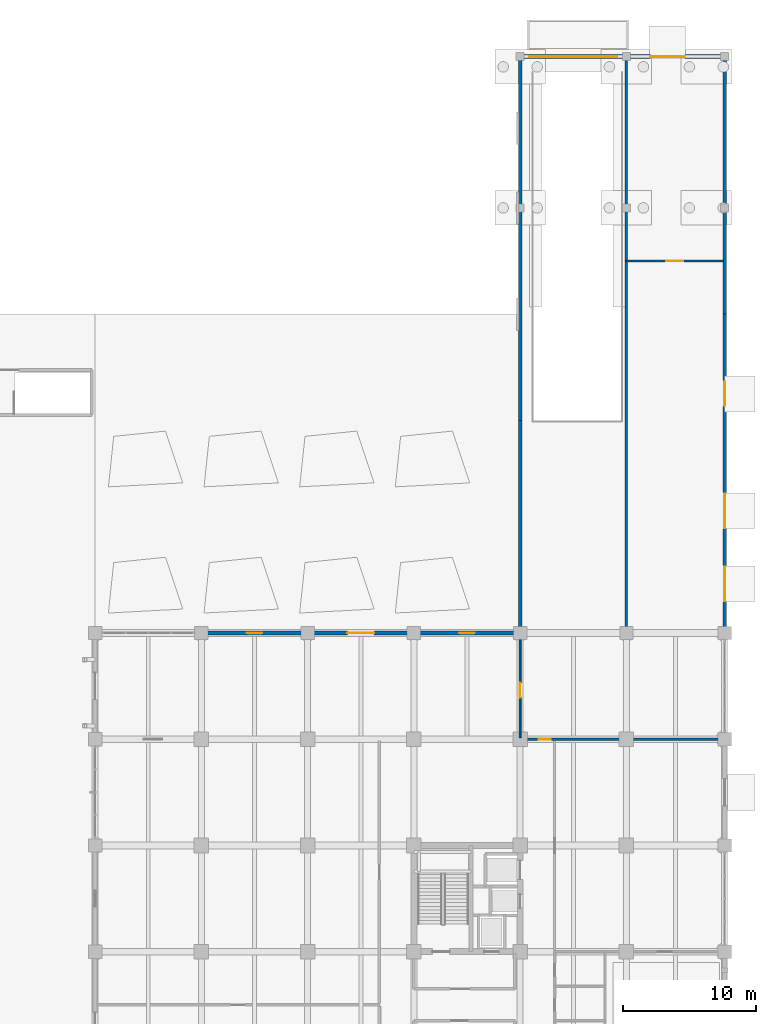
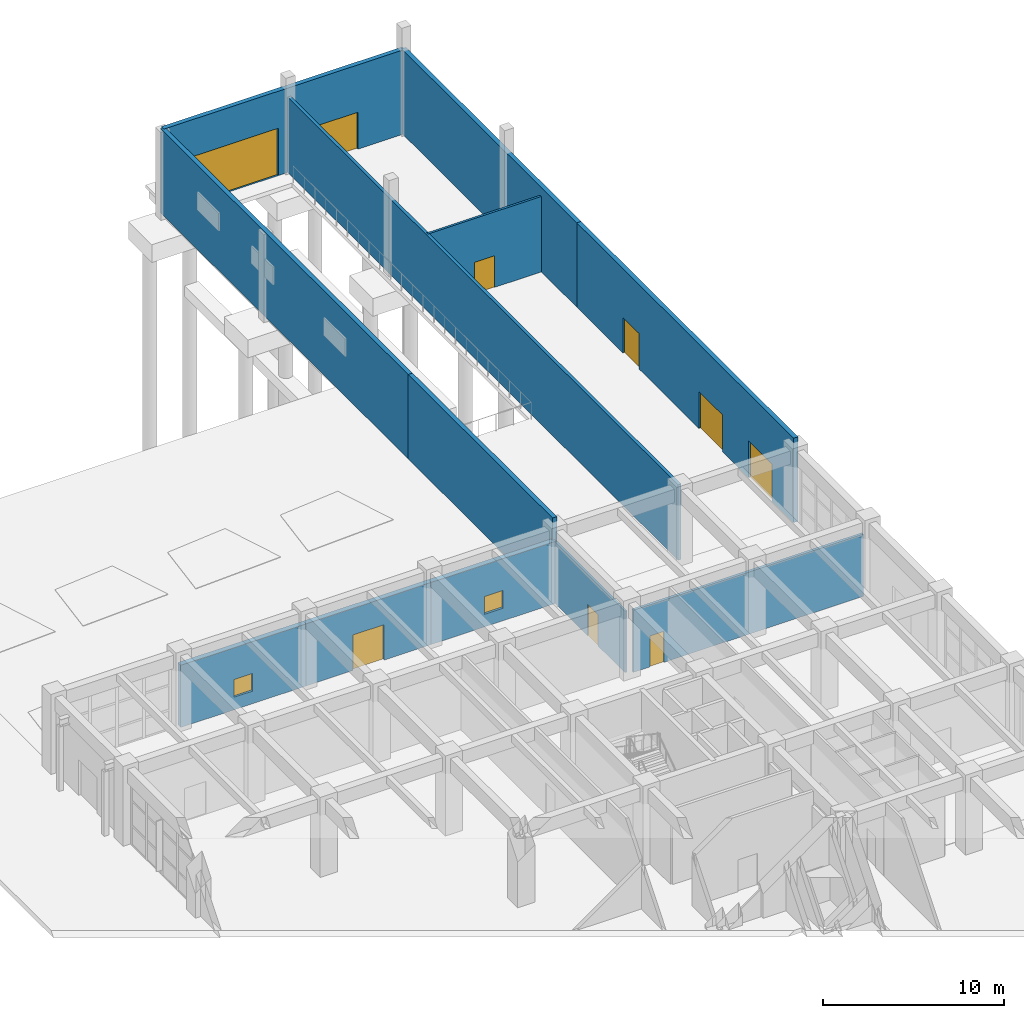
# One storey, part 78 of 90: 12 walls, 9 doors, 2 windows, 11 openings.
"""IFC4 building model written with IfcOpenShell, lengths in metres."""

import ifcopenshell
import ifcopenshell.guid

model = None  # the IFC model being written
_history = None  # IfcOwnerHistory: only IFC2X3 demands one
_inside = {}  # id of a spatial element -> (the spatial element, [elements in it])
_under = {}  # id of a project, library or spatial element -> (it, [spatial elements below it])
_declared = {}  # id of a project -> (the project, [libraries it declares])
_typed = {}  # id of a type object -> (the type object, [elements of that type])
_made_of = {}  # id of a material, layer set ... -> (it, [elements and type objects made of it])


def new_model(schema):
    """Start an empty IFC model of exactly this schema.

    Asked for "IFC4X3", IfcOpenShell would pick the latest addendum, in which some entities
    have other attributes; the version numbers below select the first issue.
    IFC2X3 requires an IfcOwnerHistory on every rooted entity: one is made here for all.
    """
    global model, _history
    if schema == "IFC4X3":
        model = ifcopenshell.file(schema_version=(4, 3, 0, 0))
    else:
        model = ifcopenshell.file(schema=schema)
    _inside.clear()
    _under.clear()
    _declared.clear()
    _typed.clear()
    _made_of.clear()
    _history = None
    if model.schema == "IFC2X3":
        org = make("IfcOrganization", Name="unknown")
        user = make(
            "IfcPersonAndOrganization",
            ThePerson=make("IfcPerson", FamilyName="unknown"),
            TheOrganization=org,
        )
        app = make(
            "IfcApplication",
            ApplicationDeveloper=org,
            Version="unknown",
            ApplicationFullName="unknown",
            ApplicationIdentifier="unknown",
        )
        _history = make(
            "IfcOwnerHistory",
            OwningUser=user,
            OwningApplication=app,
            ChangeAction="ADDED",
            CreationDate=0,
        )
    return model


def make(cls, **values):
    """One entity of the class cls with the attributes given. An attribute that is None is left unset."""
    return model.create_entity(
        cls, **{name: value for name, value in values.items() if value is not None}
    )


def rooted(cls, **values):
    """An entity with a GlobalId (a new one), such as an element, a storey or a relation."""
    return make(cls, GlobalId=ifcopenshell.guid.new(), OwnerHistory=_history, **values)


def si_unit(unit_type, name, prefix=None):
    """IfcSIUnit, for example si_unit("LENGTHUNIT", "METRE", prefix="MILLI")."""
    return make("IfcSIUnit", UnitType=unit_type, Prefix=prefix, Name=name)


def assignment(units):
    """IfcUnitAssignment: the units of a project."""
    return None if units is None else make("IfcUnitAssignment", Units=units)


def point(xyz):
    """IfcCartesianPoint."""
    return None if xyz is None else make("IfcCartesianPoint", Coordinates=xyz)


def direction(xyz):
    """IfcDirection."""
    return None if xyz is None else make("IfcDirection", DirectionRatios=xyz)


def frame(location, z_axis=None, x_axis=None):
    """IfcAxis2Placement3D, a coordinate frame: its origin and axes. An axis left out is left unset."""
    return make(
        "IfcAxis2Placement3D",
        Location=point(location),
        Axis=direction(z_axis),
        RefDirection=direction(x_axis),
    )


def frame_2d(location, x_axis=None):
    """IfcAxis2Placement2D, a coordinate frame in the plane: its origin and x axis."""
    return make(
        "IfcAxis2Placement2D", Location=point(location), RefDirection=direction(x_axis)
    )


def origin():
    """The frame at (0, 0, 0) with its axes left unset."""
    return frame((0.0, 0.0, 0.0))


def place(relative_to, where):
    """IfcLocalPlacement: puts the frame where relative to a parent placement (None: the world)."""
    return make(
        "IfcLocalPlacement", PlacementRelTo=relative_to, RelativePlacement=where
    )


def context(
    kind, dimensions, precision=None, world=None, true_north=None, identifier=None
):
    """IfcGeometricRepresentationContext, for example the 3D "Model" context."""
    return make(
        "IfcGeometricRepresentationContext",
        ContextIdentifier=identifier,
        ContextType=kind,
        CoordinateSpaceDimension=dimensions,
        Precision=precision,
        WorldCoordinateSystem=world,
        TrueNorth=true_north,
    )


def subcontext(parent, identifier, kind, view, scale=None):
    """IfcGeometricRepresentationSubContext, for example "Body" below "Model"."""
    return make(
        "IfcGeometricRepresentationSubContext",
        ContextIdentifier=identifier,
        ContextType=kind,
        ParentContext=parent,
        TargetScale=scale,
        TargetView=view,
    )


def project(units=None, contexts=None):
    """IfcProject with its units and contexts."""
    return rooted(
        "IfcProject",
        Name="project",
        RepresentationContexts=contexts,
        UnitsInContext=assignment(units),
    )


def spatial(cls, under=None, at=None, **own):
    """A site, building, storey or space (cls), placed at a placement, below another one or the project."""
    s = rooted(cls, ObjectPlacement=at, **own)
    if under is not None:
        _under.setdefault(under.id(), (under, []))[1].append(s)
    return s


def profile(cls, at=None, kind="AREA", **sizes):
    """A parametric profile (cls). Its sizes go by their IFC names, for example OverallWidth=200.0."""
    return make(cls, ProfileType=kind, Position=at, **sizes)


def rectangle(**sizes):
    """IfcRectangleProfileDef."""
    return profile("IfcRectangleProfileDef", **sizes)


def extrude(swept, where, along, depth):
    """IfcExtrudedAreaSolid: the profile swept, set in the frame where, extruded along a direction by depth."""
    return make(
        "IfcExtrudedAreaSolid",
        SweptArea=swept,
        Position=where,
        ExtrudedDirection=direction(along),
        Depth=depth,
    )


def shape(context_of_items, identifier, shape_type, items):
    """IfcShapeRepresentation: the items that make up one representation, for example the "Body"."""
    return make(
        "IfcShapeRepresentation",
        ContextOfItems=context_of_items,
        RepresentationIdentifier=identifier,
        RepresentationType=shape_type,
        Items=items,
    )


def material(Name=None, Category=None):
    """IfcMaterial."""
    return make("IfcMaterial", Name=Name, Category=Category)


def layer(
    of_material, thickness, ventilated=None, Name=None, Category=None, Priority=None
):
    """IfcMaterialLayer: one layer of a wall or slab, of a material (None: an air gap)."""
    return make(
        "IfcMaterialLayer",
        Material=of_material,
        LayerThickness=thickness,
        IsVentilated=ventilated,
        Name=Name,
        Category=Category,
        Priority=Priority,
    )


def layer_set(layers, Name=None):
    """IfcMaterialLayerSet."""
    return make("IfcMaterialLayerSet", MaterialLayers=layers, LayerSetName=Name)


def made_of(thing, what):
    """Note that an element or type object is made of a material, layer set ...; save() writes the relation."""
    if what is not None:
        _made_of.setdefault(what.id(), (what, []))[1].append(thing)
    return thing


def type_object(cls, material=None, **own):
    """A type object (cls), such as IfcWallType, which elements share."""
    return made_of(rooted(cls, **own), material)


def element(
    cls,
    number,
    at=None,
    inside=None,
    cuts=None,
    type_object=None,
    material=None,
    context=None,
    identifier="Body",
    shape_type=None,
    held_by="IfcProductDefinitionShape",
    body=None,
    shapes=None,
    **own,
):
    """One element of the class cls, such as IfcWall. Its Tag is "e" and its number.

    at: its placement. inside: the storey or other place that contains it. cuts: it is an
    opening in that element (IfcRelVoidsElement). A single representation is given by context,
    identifier, shape_type and body (its items); several are given by shapes. held_by: the class
    of the entity that holds the representations. save() writes the other relations.
    """
    e = rooted(cls, Tag="e%d" % number, ObjectPlacement=at, **own)
    if body is not None:
        shapes = [shape(context, identifier, shape_type, body)]
    if shapes is not None:
        e.Representation = make(held_by, Representations=shapes)
    if inside is not None:
        _inside.setdefault(inside.id(), (inside, []))[1].append(e)
    if cuts is not None:
        rooted(
            "IfcRelVoidsElement", RelatingBuildingElement=cuts, RelatedOpeningElement=e
        )
    if type_object is not None:
        _typed.setdefault(type_object.id(), (type_object, []))[1].append(e)
    return made_of(e, material)


def fill(opening, filler):
    """IfcRelFillsElement: the door or window that sits in an opening."""
    return rooted(
        "IfcRelFillsElement",
        RelatingOpeningElement=opening,
        RelatedBuildingElement=filler,
    )


def aggregate(whole, parts):
    """IfcRelAggregates: a whole, such as a stair, and the parts it consists of."""
    return rooted("IfcRelAggregates", RelatingObject=whole, RelatedObjects=parts)


def save(model, path):
    """Write the relations noted so far, then the file.

    IfcRelAggregates (storeys below a building ...), IfcRelContainedInSpatialStructure (elements
    in a storey), IfcRelDefinesByType, IfcRelAssociatesMaterial and IfcRelDeclares: one each for
    every whole, place, type object, material and project.
    """
    for whole, parts in _under.values():
        aggregate(whole, parts)
    for where, things in _inside.values():
        rooted(
            "IfcRelContainedInSpatialStructure",
            RelatedElements=things,
            RelatingStructure=where,
        )
    for kind, things in _typed.values():
        rooted("IfcRelDefinesByType", RelatedObjects=things, RelatingType=kind)
    for what, things in _made_of.values():
        rooted("IfcRelAssociatesMaterial", RelatedObjects=things, RelatingMaterial=what)
    for by, libraries in _declared.values():
        rooted("IfcRelDeclares", RelatingContext=by, RelatedDefinitions=libraries)
    model.write(path)


model = new_model("IFC4")

# Units and contexts
model_context = context("Model", 3, precision=1e-05, world=origin(), true_north=direction((0.0, 1.0)))
body_context = subcontext(model_context, "Body", "Model", "MODEL_VIEW")
ifc_project = project(units=[si_unit("LENGTHUNIT", "METRE"), si_unit("AREAUNIT", "SQUARE_METRE"), si_unit("VOLUMEUNIT", "CUBIC_METRE"), si_unit("PLANEANGLEUNIT", "RADIAN"), si_unit("MASSUNIT", "GRAM", prefix="KILO")], contexts=[model_context])

# Site, building, storey
site_placement = place(None, origin())
site = spatial("IfcSite", under=ifc_project, at=site_placement, CompositionType="ELEMENT")
building_placement = place(site_placement, origin())
building = spatial("IfcBuilding", under=site, at=building_placement, Name="Canggui Botanical Conservatory", CompositionType="ELEMENT")
storey_placement = place(building_placement, origin())
storey = spatial("IfcBuildingStorey", under=building, at=storey_placement, Name="L01", CompositionType="ELEMENT", Elevation=0.0)

# Wall, openings, doors
ifc_material_1 = material(Name="Precast Concrete C40", Category="concrete")
ifc_layer_1 = layer(ifc_material_1, 0.280029296875, Name="Precast Concrete C40", Category="concrete")
ifc_layer_set_1 = layer_set([ifc_layer_1], Name="Precast Concrete C40")
wall_type_1 = type_object("IfcWallType", Name="EW-280", PredefinedType="STANDARD", material=ifc_layer_set_1)
wall_1_placement = place(storey_placement, frame((162.0, 125.39990234375, 0.0), z_axis=(0.0, 0.0, 1.0), x_axis=(1.0, 0.0, 0.0)))
wall_1 = element("IfcWall", 1, at=wall_1_placement, inside=storey, type_object=wall_type_1, Name="North-East Ramp Wing Exterior Wall NE-N", PredefinedType="STANDARD", context=body_context, shape_type="SweptSolid", body=[
    extrude(rectangle(XDim=15.39990234375, YDim=0.280029296875, at=frame_2d((7.699951171875, 0.0))), origin(), (0.0, 0.0, 1.0), 5.699951171875),
])
opening_1_placement = place(wall_1_placement, frame((0.699951171875, 0.0, 0.0)))
opening_1 = element("IfcOpeningElement", 2, at=opening_1_placement, cuts=wall_1, Name="Opening VG-01", PredefinedType="OPENING", context=body_context, shape_type="SweptSolid", body=[
    extrude(rectangle(XDim=6.60009765625, YDim=3.199951171875, at=frame_2d((3.300048828125, 1.60009765625))), frame((0.0, 0.14990234375, 0.0), z_axis=(0.0, -1.0, 0.0), x_axis=(1.0, 0.0, 0.0)), (0.0, 0.0, 1.0), 0.300048828125),
])
opening_2_placement = place(wall_1_placement, frame((9.800048828125, 0.0, 0.0)))
opening_2 = element("IfcOpeningElement", 3, at=opening_2_placement, cuts=wall_1, Name="Opening VG-03", PredefinedType="OPENING", context=body_context, shape_type="SweptSolid", body=[
    extrude(rectangle(XDim=2.60009765625, YDim=2.5, at=frame_2d((1.300048828125, 1.25))), frame((0.0, 0.14990234375, 0.0), z_axis=(0.0, -1.0, 0.0), x_axis=(1.0, 0.0, 0.0)), (0.0, 0.0, 1.0), 0.300048828125),
])
ifc_material_2 = material(Name="Powder-Coated Steel", Category="steel")
door_type_1 = type_object("IfcDoorType", Name="GATE-SRV", OperationType="NOTDEFINED", PredefinedType="GATE", material=ifc_material_2)
door_1_placement = place(opening_2_placement, origin())
door_1 = element("IfcDoor", 4, at=door_1_placement, inside=storey, type_object=door_type_1, Name="Logistics Composting Service Gate VG-03", OperationType="ROLLINGUP", OverallHeight=2.5, OverallWidth=2.60009765625, PredefinedType="GATE", context=body_context, shape_type="SweptSolid", body=[
    extrude(rectangle(XDim=2.60009765625, YDim=2.5, at=frame_2d((1.300048828125, 1.25))), frame((0.0, 0.02490234375, 0.0), z_axis=(0.0, -1.0, 0.0), x_axis=(1.0, 0.0, 0.0)), (0.0, 0.0, 1.0), 0.050048828125),
])
fill(opening_2, door_1)
door_type_2 = type_object("IfcDoorType", Name="GATE-VG01", OperationType="NOTDEFINED", PredefinedType="GATE", material=ifc_material_2)
door_2_placement = place(opening_1_placement, origin())
door_2 = element("IfcDoor", 5, at=door_2_placement, inside=storey, type_object=door_type_2, Name="Basement Car Park Vehicle Ramp Roller Shutter Gate VG-01", OperationType="ROLLINGUP", OverallHeight=3.199951171875, OverallWidth=6.60009765625, PredefinedType="GATE", context=body_context, shape_type="SweptSolid", body=[
    extrude(rectangle(XDim=6.60009765625, YDim=3.199951171875, at=frame_2d((3.300048828125, 1.60009765625))), frame((0.0, 0.02490234375, 0.0), z_axis=(0.0, -1.0, 0.0), x_axis=(1.0, 0.0, 0.0)), (0.0, 0.0, 1.0), 0.050048828125),
])
fill(opening_1, door_2)

wall_2_placement = place(storey_placement, frame((177.39990234375, 106.0, 0.0), z_axis=(0.0, 0.0, 1.0), x_axis=(0.0, -1.0, 0.0)))
wall_2 = element("IfcWall", 6, at=wall_2_placement, inside=storey, type_object=wall_type_1, Name="North-East Ramp Wing Exterior Wall NE-E1", PredefinedType="STANDARD", context=body_context, shape_type="SweptSolid", body=[
    extrude(rectangle(XDim=24.0, YDim=0.280029296875, at=frame_2d((12.0, 0.0))), origin(), (0.0, 0.0, 1.0), 5.699951171875),
])
opening_3_placement = place(wall_2_placement, frame((5.10009765625, 0.0, 0.0)))
opening_3 = element("IfcOpeningElement", 7, at=opening_3_placement, cuts=wall_2, Name="Opening EX-B", PredefinedType="OPENING", context=body_context, shape_type="SweptSolid", body=[
    extrude(rectangle(XDim=1.800048828125, YDim=2.39990234375, at=frame_2d((0.89990234375, 1.199951171875))), frame((0.0, 0.14990234375, 0.0), z_axis=(0.0, -1.0, 0.0), x_axis=(1.0, 0.0, 0.0)), (0.0, 0.0, 1.0), 0.300048828125),
])
opening_4_placement = place(wall_2_placement, frame((13.5, 0.0, 0.0)))
opening_4 = element("IfcOpeningElement", 8, at=opening_4_placement, cuts=wall_2, Name="Opening VG-03", PredefinedType="OPENING", context=body_context, shape_type="SweptSolid", body=[
    extrude(rectangle(XDim=2.60009765625, YDim=2.5, at=frame_2d((1.300048828125, 1.25))), frame((0.0, 0.14990234375, 0.0), z_axis=(0.0, -1.0, 0.0), x_axis=(1.0, 0.0, 0.0)), (0.0, 0.0, 1.0), 0.300048828125),
])
opening_5_placement = place(wall_2_placement, frame((19.0, 0.0, 0.0)))
opening_5 = element("IfcOpeningElement", 9, at=opening_5_placement, cuts=wall_2, Name="Opening VG-03", PredefinedType="OPENING", context=body_context, shape_type="SweptSolid", body=[
    extrude(rectangle(XDim=2.60009765625, YDim=2.5, at=frame_2d((1.300048828125, 1.25))), frame((0.0, 0.14990234375, 0.0), z_axis=(0.0, -1.0, 0.0), x_axis=(1.0, 0.0, 0.0)), (0.0, 0.0, 1.0), 0.300048828125),
])
ifc_material_3 = material(Name="Anodised Aluminium", Category="aluminium")
door_type_3 = type_object("IfcDoorType", Name="EDR-EX18", OperationType="NOTDEFINED", PredefinedType="DOOR", material=ifc_material_3)
door_3_placement = place(opening_3_placement, origin())
door_3 = element("IfcDoor", 10, at=door_3_placement, inside=storey, type_object=door_type_3, Name="Cycle Store Pedestrian Entrance Door EX-08", OperationType="DOUBLE_DOOR_SINGLE_SWING", OverallHeight=2.39990234375, OverallWidth=1.800048828125, PredefinedType="DOOR", context=body_context, shape_type="SweptSolid", body=[
    extrude(rectangle(XDim=1.800048828125, YDim=2.39990234375, at=frame_2d((0.89990234375, 1.199951171875))), frame((0.0, 0.02490234375, 0.0), z_axis=(0.0, -1.0, 0.0), x_axis=(1.0, 0.0, 0.0)), (0.0, 0.0, 1.0), 0.050048828125),
])
fill(opening_3, door_3)
door_4_placement = place(opening_4_placement, origin())
door_4 = element("IfcDoor", 11, at=door_4_placement, inside=storey, type_object=door_type_1, Name="Cycle Store Cargo Gate VG-04", OperationType="ROLLINGUP", OverallHeight=2.5, OverallWidth=2.60009765625, PredefinedType="GATE", context=body_context, shape_type="SweptSolid", body=[
    extrude(rectangle(XDim=2.60009765625, YDim=2.5, at=frame_2d((1.300048828125, 1.25))), frame((0.0, 0.02490234375, 0.0), z_axis=(0.0, -1.0, 0.0), x_axis=(1.0, 0.0, 0.0)), (0.0, 0.0, 1.0), 0.050048828125),
])
fill(opening_4, door_4)
door_5_placement = place(opening_5_placement, origin())
door_5 = element("IfcDoor", 12, at=door_5_placement, inside=storey, type_object=door_type_1, Name="Maintenance Equipment Gate VG-05", OperationType="ROLLINGUP", OverallHeight=2.5, OverallWidth=2.60009765625, PredefinedType="GATE", context=body_context, shape_type="SweptSolid", body=[
    extrude(rectangle(XDim=2.60009765625, YDim=2.5, at=frame_2d((1.300048828125, 1.25))), frame((0.0, 0.02490234375, 0.0), z_axis=(0.0, -1.0, 0.0), x_axis=(1.0, 0.0, 0.0)), (0.0, 0.0, 1.0), 0.050048828125),
])
fill(opening_5, door_5)

# Walls
wall_3_placement = place(storey_placement, frame((177.39990234375, 125.39990234375, 0.0), z_axis=(0.0, 0.0, 1.0), x_axis=(0.0, -1.0, 0.0)))
element("IfcWall", 13, at=wall_3_placement, inside=storey, type_object=wall_type_1, Name="North-East Ramp Wing Exterior Wall NE-E2", PredefinedType="STANDARD", context=body_context, shape_type="SweptSolid", body=[
    extrude(rectangle(XDim=19.39990234375, YDim=0.280029296875, at=frame_2d((9.699951171875, 0.0))), origin(), (0.0, 0.0, 1.0), 5.699951171875),
])
wall_4_placement = place(storey_placement, frame((162.0, 98.0, 0.0), z_axis=(0.0, 0.0, 1.0), x_axis=(0.0, 1.0, 0.0)))
element("IfcWall", 14, at=wall_4_placement, inside=storey, type_object=wall_type_1, Name="North-East Ramp Wing Exterior Wall NE-W1", PredefinedType="STANDARD", context=body_context, shape_type="SweptSolid", body=[
    extrude(rectangle(XDim=27.39990234375, YDim=0.280029296875, at=frame_2d((13.699951171875, 0.0))), origin(), (0.0, 0.0, 1.0), 5.699951171875),
])
wall_5_placement = place(storey_placement, frame((162.0, 82.0, 0.0), z_axis=(0.0, 0.0, 1.0), x_axis=(0.0, 1.0, 0.0)))
element("IfcWall", 15, at=wall_5_placement, inside=storey, type_object=wall_type_1, Name="North-East Ramp Wing Exterior Wall NE-W2", PredefinedType="STANDARD", context=body_context, shape_type="SweptSolid", body=[
    extrude(rectangle(XDim=16.0, YDim=0.280029296875, at=frame_2d((8.0, 0.0))), origin(), (0.0, 0.0, 1.0), 5.699951171875),
])

# Wall, opening, window
ifc_layer_2 = layer(ifc_material_1, 0.320068359375, Name="Precast Concrete C40", Category="concrete")
ifc_layer_set_2 = layer_set([ifc_layer_2], Name="Precast Concrete C40")
wall_type_2 = type_object("IfcWallType", Name="EW-320", PredefinedType="STANDARD", material=ifc_layer_set_2)
wall_6_placement = place(storey_placement, frame((138.0, 82.0, 0.0), z_axis=(0.0, 0.0, 1.0), x_axis=(1.0, 0.0, 0.0)))
wall_6 = element("IfcWall", 16, at=wall_6_placement, inside=storey, type_object=wall_type_2, Name="Tower Insulated Exterior Wall L01-N12", PredefinedType="STANDARD", context=body_context, shape_type="SweptSolid", body=[
    extrude(rectangle(XDim=8.0, YDim=0.320068359375, at=frame_2d((4.0, 0.0))), origin(), (0.0, 0.0, 1.0), 4.199951171875),
])
opening_6_placement = place(wall_6_placement, frame((3.39990234375, 0.0, 0.85009765625)))
opening_6 = element("IfcOpeningElement", 17, at=opening_6_placement, cuts=wall_6, Name="Opening W-06", PredefinedType="OPENING", context=body_context, shape_type="SweptSolid", body=[
    extrude(rectangle(XDim=1.199951171875, YDim=1.199951171875, at=frame_2d((0.60009765625, 0.60009765625))), frame((0.0, 0.169921875, 0.0), z_axis=(0.0, -1.0, 0.0), x_axis=(1.0, 0.0, 0.0)), (0.0, 0.0, 1.0), 0.340087890625),
])
ifc_material_4 = material(Name="Low-E Insulated Glass", Category="glass")
window_type = type_object("IfcWindowType", Name="WIN-06", PartitioningType="SINGLE_PANEL", PredefinedType="WINDOW", material=ifc_material_4)
window_1_placement = place(opening_6_placement, origin())
window_1 = element("IfcWindow", 18, at=window_1_placement, inside=storey, type_object=window_type, Name="Tower Firefighter Rescue Window L01-12", OverallHeight=1.199951171875, OverallWidth=1.199951171875, PartitioningType="SINGLE_PANEL", PredefinedType="WINDOW", context=body_context, shape_type="SweptSolid", body=[
    extrude(rectangle(XDim=1.199951171875, YDim=1.199951171875, at=frame_2d((0.60009765625, 0.60009765625))), frame((0.0, 0.030029296875, 0.0), z_axis=(0.0, -1.0, 0.0), x_axis=(1.0, 0.0, 0.0)), (0.0, 0.0, 1.0), 0.06005859375),
])
fill(opening_6, window_1)

# Wall, opening, door
wall_7_placement = place(storey_placement, frame((146.0, 82.0, 0.0), z_axis=(0.0, 0.0, 1.0), x_axis=(1.0, 0.0, 0.0)))
wall_7 = element("IfcWall", 19, at=wall_7_placement, inside=storey, type_object=wall_type_2, Name="Tower Insulated Exterior Wall L01-N13", PredefinedType="STANDARD", context=body_context, shape_type="SweptSolid", body=[
    extrude(rectangle(XDim=8.0, YDim=0.320068359375, at=frame_2d((4.0, 0.0))), origin(), (0.0, 0.0, 1.0), 4.199951171875),
])
opening_7_placement = place(wall_7_placement, frame((3.0, 0.0, 0.0)))
opening_7 = element("IfcOpeningElement", 20, at=opening_7_placement, cuts=wall_7, Name="Opening EX-A", PredefinedType="OPENING", context=body_context, shape_type="SweptSolid", body=[
    extrude(rectangle(XDim=2.0, YDim=2.39990234375, at=frame_2d((1.0, 1.199951171875))), frame((0.0, 0.169921875, 0.0), z_axis=(0.0, -1.0, 0.0), x_axis=(1.0, 0.0, 0.0)), (0.0, 0.0, 1.0), 0.340087890625),
])
door_type_4 = type_object("IfcDoorType", Name="EDR-EX20", OperationType="NOTDEFINED", PredefinedType="DOOR", material=ifc_material_3)
door_6_placement = place(opening_7_placement, origin())
door_6 = element("IfcDoor", 21, at=door_6_placement, inside=storey, type_object=door_type_4, Name="Tower Ground Pedestrian Exit Door EX-04", OperationType="DOUBLE_DOOR_SINGLE_SWING", OverallHeight=2.39990234375, OverallWidth=2.0, PredefinedType="DOOR", context=body_context, shape_type="SweptSolid", body=[
    extrude(rectangle(XDim=2.0, YDim=2.39990234375, at=frame_2d((1.0, 1.199951171875))), frame((0.0, 0.02490234375, 0.0), z_axis=(0.0, -1.0, 0.0), x_axis=(1.0, 0.0, 0.0)), (0.0, 0.0, 1.0), 0.050048828125),
])
fill(opening_7, door_6)

# Wall, opening, window
wall_8_placement = place(storey_placement, frame((154.0, 82.0, 0.0), z_axis=(0.0, 0.0, 1.0), x_axis=(1.0, 0.0, 0.0)))
wall_8 = element("IfcWall", 22, at=wall_8_placement, inside=storey, type_object=wall_type_2, Name="Tower Insulated Exterior Wall L01-N14", PredefinedType="STANDARD", context=body_context, shape_type="SweptSolid", body=[
    extrude(rectangle(XDim=8.0, YDim=0.320068359375, at=frame_2d((4.0, 0.0))), origin(), (0.0, 0.0, 1.0), 4.199951171875),
])
opening_8_placement = place(wall_8_placement, frame((3.39990234375, 0.0, 0.85009765625)))
opening_8 = element("IfcOpeningElement", 23, at=opening_8_placement, cuts=wall_8, Name="Opening W-06", PredefinedType="OPENING", context=body_context, shape_type="SweptSolid", body=[
    extrude(rectangle(XDim=1.199951171875, YDim=1.199951171875, at=frame_2d((0.60009765625, 0.60009765625))), frame((0.0, 0.169921875, 0.0), z_axis=(0.0, -1.0, 0.0), x_axis=(1.0, 0.0, 0.0)), (0.0, 0.0, 1.0), 0.340087890625),
])
window_2_placement = place(opening_8_placement, origin())
window_2 = element("IfcWindow", 24, at=window_2_placement, inside=storey, type_object=window_type, Name="Tower Firefighter Rescue Window L01-14", OverallHeight=1.199951171875, OverallWidth=1.199951171875, PartitioningType="SINGLE_PANEL", PredefinedType="WINDOW", context=body_context, shape_type="SweptSolid", body=[
    extrude(rectangle(XDim=1.199951171875, YDim=1.199951171875, at=frame_2d((0.60009765625, 0.60009765625))), frame((0.0, 0.030029296875, 0.0), z_axis=(0.0, -1.0, 0.0), x_axis=(1.0, 0.0, 0.0)), (0.0, 0.0, 1.0), 0.06005859375),
])
fill(opening_8, window_2)

# Wall, opening, door
ifc_material_5 = material(Name="Gypsum Plasterboard Partition")
ifc_layer_3 = layer(ifc_material_5, 0.175048828125, Name="Gypsum Plasterboard Partition")
ifc_layer_set_3 = layer_set([ifc_layer_3], Name="Gypsum Plasterboard Partition")
wall_type_3 = type_object("IfcWallType", Name="IW-CORR-175", PredefinedType="STANDARD", material=ifc_layer_set_3)
wall_9_placement = place(storey_placement, frame((162.35009765625, 74.0, 0.0), z_axis=(0.0, 0.0, 1.0), x_axis=(1.0, 0.0, 0.0)))
wall_9 = element("IfcWall", 25, at=wall_9_placement, inside=storey, type_object=wall_type_3, Name="L01 Tower Ground Concourse North Suite Wall", PredefinedType="STANDARD", context=body_context, shape_type="SweptSolid", body=[
    extrude(rectangle(XDim=14.699951171875, YDim=0.175048828125, at=frame_2d((7.35009765625, 0.0))), origin(), (0.0, 0.0, 1.0), 4.199951171875),
])
opening_9_placement = place(wall_9_placement, frame((1.050048828125, 0.0, 0.0)))
opening_9 = element("IfcOpeningElement", 26, at=opening_9_placement, cuts=wall_9, Name="Opening FD-01", PredefinedType="OPENING", context=body_context, shape_type="SweptSolid", body=[
    extrude(rectangle(XDim=0.89990234375, YDim=2.10009765625, at=frame_2d((0.449951171875, 1.050048828125))), frame((0.0, 0.09765625, 0.0), z_axis=(0.0, -1.0, 0.0), x_axis=(1.0, 0.0, 0.0)), (0.0, 0.0, 1.0), 0.195068359375),
])
door_type_5 = type_object("IfcDoorType", Name="FD-01", OperationType="NOTDEFINED", PredefinedType="DOOR", material=ifc_material_2)
door_7_placement = place(opening_9_placement, origin())
door_7 = element("IfcDoor", 27, at=door_7_placement, inside=storey, type_object=door_type_5, Name="Interior Door IW-L01-NCOR-2", OperationType="SINGLE_SWING_LEFT", OverallHeight=2.10009765625, OverallWidth=0.89990234375, PredefinedType="DOOR", context=body_context, shape_type="SweptSolid", body=[
    extrude(rectangle(XDim=0.89990234375, YDim=2.10009765625, at=frame_2d((0.449951171875, 1.050048828125))), frame((0.0, 0.02490234375, 0.0), z_axis=(0.0, -1.0, 0.0), x_axis=(1.0, 0.0, 0.0)), (0.0, 0.0, 1.0), 0.050048828125),
])
fill(opening_9, door_7)

# Wall
ifc_material_6 = material(Name="Concrete C35", Category="concrete")
ifc_layer_4 = layer(ifc_material_6, 0.195068359375, Name="Concrete C35", Category="concrete")
ifc_layer_set_4 = layer_set([ifc_layer_4], Name="Concrete C35")
wall_type_4 = type_object("IfcWallType", Name="IW-LOBBY-195", PredefinedType="STANDARD", material=ifc_layer_set_4)
wall_10_placement = place(storey_placement, frame((170.0, 82.050048828125, 0.0), z_axis=(0.0, 0.0, 1.0), x_axis=(0.0, 1.0, 0.0)))
element("IfcWall", 28, at=wall_10_placement, inside=storey, type_object=wall_type_4, Name="Vehicle Ramp VR-01 Fire Wall", PredefinedType="STANDARD", context=body_context, shape_type="SweptSolid", body=[
    extrude(rectangle(XDim=43.300048828125, YDim=0.195068359375, at=frame_2d((21.64990234375, 0.0))), origin(), (0.0, 0.0, 1.0), 5.10009765625),
])

# Wall, opening, door
ifc_layer_5 = layer(ifc_material_5, 0.139892578125, Name="Gypsum Plasterboard Partition")
ifc_layer_set_5 = layer_set([ifc_layer_5], Name="Gypsum Plasterboard Partition")
wall_type_5 = type_object("IfcWallType", Name="IW-PART-140", PredefinedType="STANDARD", material=ifc_layer_set_5)
wall_11_placement = place(storey_placement, frame((170.0, 110.0, 0.0), z_axis=(0.0, 0.0, 1.0), x_axis=(1.0, 0.0, 0.0)))
wall_11 = element("IfcWall", 29, at=wall_11_placement, inside=storey, type_object=wall_type_5, Name="Cycle Store and Composting Bay Divider", PredefinedType="STANDARD", context=body_context, shape_type="SweptSolid", body=[
    extrude(rectangle(XDim=7.280029296875, YDim=0.139892578125, at=frame_2d((3.64013671875, 0.0))), origin(), (0.0, 0.0, 1.0), 5.10009765625),
])
opening_10_placement = place(wall_11_placement, frame((3.0, 0.0, 0.0)))
opening_10 = element("IfcOpeningElement", 30, at=opening_10_placement, cuts=wall_11, Name="Opening ID-09", PredefinedType="OPENING", context=body_context, shape_type="SweptSolid", body=[
    extrude(rectangle(XDim=1.280029296875, YDim=2.139892578125, at=frame_2d((0.64013671875, 1.06982421875))), frame((0.0, 0.080078125, 0.0), z_axis=(0.0, -1.0, 0.0), x_axis=(1.0, 0.0, 0.0)), (0.0, 0.0, 1.0), 0.159912109375),
])
ifc_material_7 = material(Name="Engineered Timber Veneer", Category="wood")
door_type_6 = type_object("IfcDoorType", Name="ID-09", OperationType="NOTDEFINED", PredefinedType="DOOR", material=ifc_material_7)
door_8_placement = place(opening_10_placement, origin())
door_8 = element("IfcDoor", 31, at=door_8_placement, inside=storey, type_object=door_type_6, Name="Interior Door IW-NE-DIV", OperationType="SINGLE_SWING_RIGHT", OverallHeight=2.139892578125, OverallWidth=1.280029296875, PredefinedType="DOOR", context=body_context, shape_type="SweptSolid", body=[
    extrude(rectangle(XDim=1.280029296875, YDim=2.139892578125, at=frame_2d((0.64013671875, 1.06982421875))), frame((0.0, 0.02490234375, 0.0), z_axis=(0.0, -1.0, 0.0), x_axis=(1.0, 0.0, 0.0)), (0.0, 0.0, 1.0), 0.050048828125),
])
fill(opening_10, door_8)

wall_12_placement = place(storey_placement, frame((162.0, 74.1201171875, 0.0), z_axis=(0.0, 0.0, 1.0), x_axis=(0.0, 1.0, 0.0)))
wall_12 = element("IfcWall", 32, at=wall_12_placement, inside=storey, type_object=wall_type_5, Name="L01 Specimen Receiving and Quarantine Prep Room North Cross Wall", PredefinedType="STANDARD", context=body_context, shape_type="SweptSolid", body=[
    extrude(rectangle(XDim=7.829833984375, YDim=0.139892578125, at=frame_2d((3.9150390625, 0.0))), origin(), (0.0, 0.0, 1.0), 4.14990234375),
])
opening_11_placement = place(wall_12_placement, frame((3.0, 0.0, 0.0)))
opening_11 = element("IfcOpeningElement", 33, at=opening_11_placement, cuts=wall_12, Name="Opening ID-06", PredefinedType="OPENING", context=body_context, shape_type="SweptSolid", body=[
    extrude(rectangle(XDim=1.1201171875, YDim=2.1201171875, at=frame_2d((0.56005859375, 1.06005859375))), frame((0.0, 0.080078125, 0.0), z_axis=(0.0, -1.0, 0.0), x_axis=(1.0, 0.0, 0.0)), (0.0, 0.0, 1.0), 0.159912109375),
])
door_type_7 = type_object("IfcDoorType", Name="ID-06", OperationType="NOTDEFINED", PredefinedType="DOOR", material=ifc_material_7)
door_9_placement = place(opening_11_placement, origin())
door_9 = element("IfcDoor", 34, at=door_9_placement, inside=storey, type_object=door_type_7, Name="Interior Door IW-L01-NDIV-1", OperationType="SINGLE_SWING_RIGHT", OverallHeight=2.1201171875, OverallWidth=1.1201171875, PredefinedType="DOOR", context=body_context, shape_type="SweptSolid", body=[
    extrude(rectangle(XDim=1.1201171875, YDim=2.1201171875, at=frame_2d((0.56005859375, 1.06005859375))), frame((0.0, 0.02490234375, 0.0), z_axis=(0.0, -1.0, 0.0), x_axis=(1.0, 0.0, 0.0)), (0.0, 0.0, 1.0), 0.050048828125),
])
fill(opening_11, door_9)

save(model, "model.ifc")
